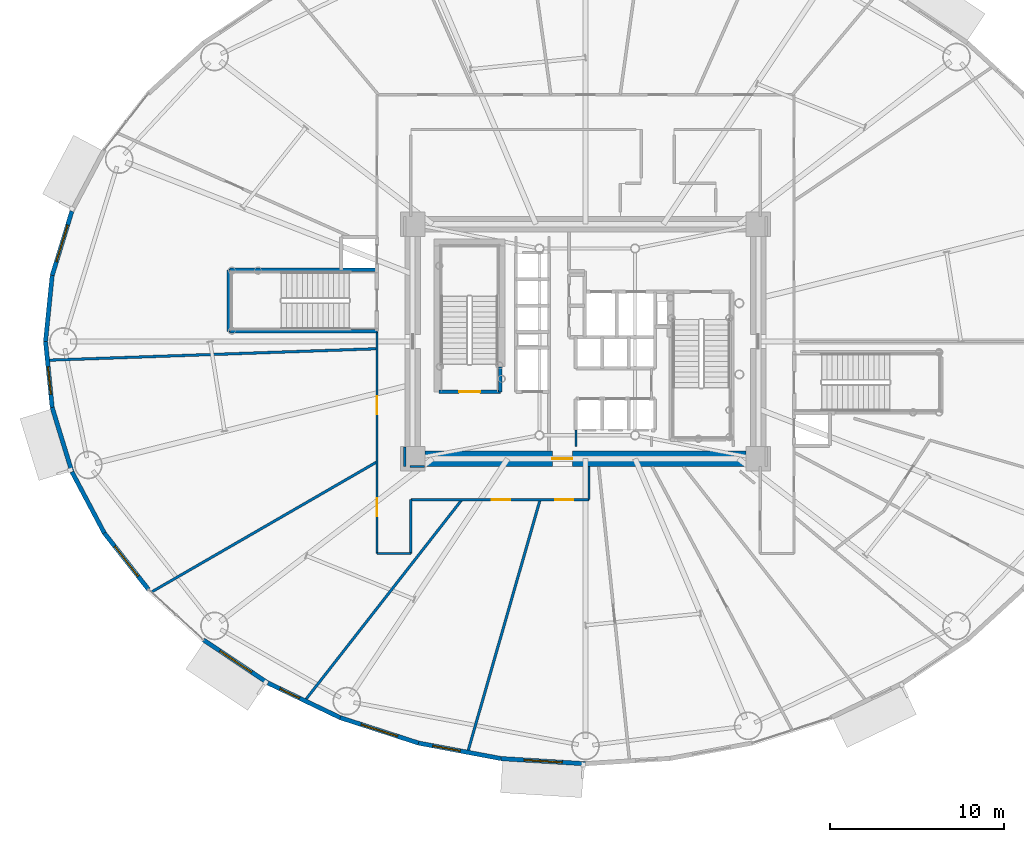
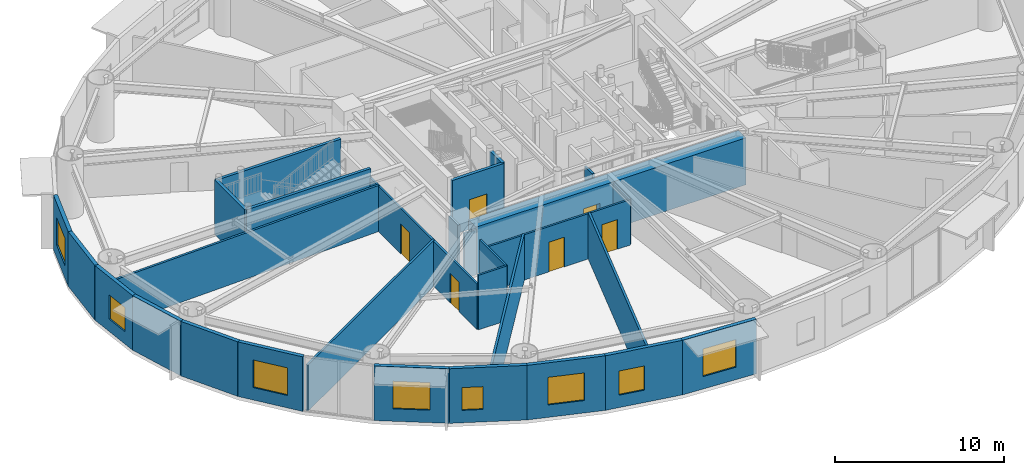
# One storey, part 16 of 32: 29 walls, 8 windows, 6 doors, 14 openings.
"""IFC4 building model written with IfcOpenShell, lengths in metres."""

from ifc_helpers import new_model, si_unit, direction, frame, frame_2d, origin, origin_2d, place, context, subcontext, project, spatial, rectangle, extrude, source, transform, mapped, material, layer, layer_set, type_object, element, fill, save


model = new_model("IFC4")

# Units and contexts
model_context = context("Model", 3, precision=1e-05, world=origin(), true_north=direction((0.0, 1.0)))
body_context = subcontext(model_context, "Body", "Model", "MODEL_VIEW")
ifc_project = project(units=[si_unit("LENGTHUNIT", "METRE"), si_unit("AREAUNIT", "SQUARE_METRE"), si_unit("VOLUMEUNIT", "CUBIC_METRE"), si_unit("PLANEANGLEUNIT", "RADIAN"), si_unit("MASSUNIT", "GRAM", prefix="KILO")], contexts=[model_context])

# Site, building, storey
site_placement = place(None, origin())
site = spatial("IfcSite", under=ifc_project, at=site_placement, CompositionType="ELEMENT")
building_placement = place(site_placement, origin())
building = spatial("IfcBuilding", under=site, at=building_placement, Name="Linh Dai School and Residence Tower", CompositionType="ELEMENT")
storey_placement = place(building_placement, frame((0.0, 0.0, 53.39990234375)))
storey = spatial("IfcBuildingStorey", under=building, at=storey_placement, Name="L12", CompositionType="ELEMENT", Elevation=53.39990234375)

# Wall, opening, window
ifc_material_1 = material(Name="Precast Concrete B45 (C35/45)", Category="concrete")
ifc_layer_1 = layer(ifc_material_1, 0.25)
ifc_layer_set_1 = layer_set([ifc_layer_1], Name="Precast Concrete B45 (C35/45)")
wall_type_1 = type_object("IfcWallType", Name="EW-TC-250", PredefinedType="SOLIDWALL", material=ifc_layer_set_1)
wall_1_placement = place(storey_placement, frame((5.306640625, 30.796875, 0.0), z_axis=(0.0, 0.0, 1.0), x_axis=(0.293111631758, 0.956078224482, 0.0)))
wall_1 = element("IfcWall", 1, at=wall_1_placement, inside=storey, type_object=wall_type_1, Name="L12 Terracotta Exterior Wall 19", PredefinedType="SOLIDWALL", context=body_context, shape_type="SweptSolid", body=[
    extrude(rectangle(XDim=3.874755859375, YDim=0.25, at=frame_2d((1.9375, 0.0))), origin(), (0.0, 0.0, 1.0), 3.9501953125),
])
opening_1_placement = place(wall_1_placement, frame((0.83740234375, 0.0, 0.89990234375)))
opening_1 = element("IfcOpeningElement", 2, at=opening_1_placement, cuts=wall_1, Name="Opening W4", PredefinedType="OPENING", context=body_context, shape_type="SweptSolid", body=[
    extrude(rectangle(XDim=2.199951171875, YDim=2.0, at=origin_2d()), frame((1.10009765625, 0.135009765625, 1.0), z_axis=(0.0, -1.0, 0.0), x_axis=(1.0, 0.0, 0.0)), (0.0, 0.0, 1.0), 0.27001953125),
])
ifc_material_2 = material(Name="Acoustic Laminated Low-E Glazing", Category="glass")
window_type_1 = type_object("IfcWindowType", Name="WN-SCH-2200x2000", PartitioningType="TRIPLE_PANEL_VERTICAL", PredefinedType="WINDOW", material=ifc_material_2)
shared_shape_1 = source(origin(), body_context, "Body", "SweptSolid", [
    extrude(rectangle(XDim=2.199951171875, YDim=2.0, at=origin_2d()), frame((1.10009765625, 0.030029296875, 1.0), z_axis=(0.0, -1.0, 0.0), x_axis=(1.0, 0.0, 0.0)), (0.0, 0.0, 1.0), 0.06005859375),
])
window_1_placement = place(opening_1_placement, origin())
window_1 = element("IfcWindow", 3, at=window_1_placement, inside=storey, type_object=window_type_1, Name="L12 Exterior Window 19.1", OverallHeight=2.0, OverallWidth=2.199951171875, PartitioningType="TRIPLE_PANEL_VERTICAL", PredefinedType="WINDOW", context=body_context, shape_type="MappedRepresentation", body=[
    mapped(shared_shape_1, transform((0.0, 0.0, 0.0), x_axis=(1.0, 0.0, 0.0), y_axis=(0.0, 1.0, 0.0), z_axis=(0.0, 0.0, 1.0), scale=1.0)),
])
fill(opening_1, window_1)

# Wall
wall_2_placement = place(storey_placement, frame((4.925048828125, 27.0, 0.0), z_axis=(0.0, 0.0, 1.0), x_axis=(0.099997795174, 0.994987658698, 0.0)))
element("IfcWall", 4, at=wall_2_placement, inside=storey, type_object=wall_type_1, Name="L12 Terracotta Exterior Wall 20", PredefinedType="SOLIDWALL", context=body_context, shape_type="SweptSolid", body=[
    extrude(rectangle(XDim=3.81591796875, YDim=0.25, at=frame_2d((1.907958984375, 0.0))), origin(), (0.0, 0.0, 1.0), 3.9501953125),
])

# Wall, opening, window
wall_3_placement = place(storey_placement, frame((5.306640625, 23.203125, 0.0), z_axis=(0.0, 0.0, 1.0), x_axis=(-0.099997795174, 0.994987658698, 0.0)))
wall_3 = element("IfcWall", 5, at=wall_3_placement, inside=storey, type_object=wall_type_1, Name="L12 Terracotta Exterior Wall 21", PredefinedType="SOLIDWALL", context=body_context, shape_type="SweptSolid", body=[
    extrude(rectangle(XDim=3.81591796875, YDim=0.25, at=frame_2d((1.907958984375, 0.0))), origin(), (0.0, 0.0, 1.0), 3.9501953125),
])
opening_2_placement = place(wall_3_placement, frame((0.7568359375, 0.0, 0.89990234375)))
opening_2 = element("IfcOpeningElement", 6, at=opening_2_placement, cuts=wall_3, Name="Opening W2", PredefinedType="OPENING", context=body_context, shape_type="SweptSolid", body=[
    extrude(rectangle(XDim=1.60009765625, YDim=1.75, at=origin_2d()), frame((0.800048828125, 0.135009765625, 0.875), z_axis=(0.0, -1.0, 0.0), x_axis=(1.0, 0.0, 0.0)), (0.0, 0.0, 1.0), 0.27001953125),
])
ifc_material_3 = material(Name="Double Low-E Insulated Glazing", Category="glass")
window_type_2 = type_object("IfcWindowType", Name="WN-RES-1600x1750", PartitioningType="DOUBLE_PANEL_VERTICAL", PredefinedType="WINDOW", material=ifc_material_3)
shared_shape_2 = source(origin(), body_context, "Body", "SweptSolid", [
    extrude(rectangle(XDim=1.60009765625, YDim=1.75, at=origin_2d()), frame((0.800048828125, 0.030029296875, 0.875), z_axis=(0.0, -1.0, 0.0), x_axis=(1.0, 0.0, 0.0)), (0.0, 0.0, 1.0), 0.06005859375),
])
window_2_placement = place(opening_2_placement, origin())
window_2 = element("IfcWindow", 7, at=window_2_placement, inside=storey, type_object=window_type_2, Name="L12 Exterior Window 21.1", OverallHeight=1.75, OverallWidth=1.60009765625, PartitioningType="DOUBLE_PANEL_VERTICAL", PredefinedType="WINDOW", context=body_context, shape_type="MappedRepresentation", body=[
    mapped(shared_shape_2, transform((0.0, 0.0, 0.0), x_axis=(1.0, 0.0, 0.0), y_axis=(0.0, 1.0, 0.0), z_axis=(0.0, 0.0, 1.0), scale=1.0)),
])
fill(opening_2, window_2)

# Walls
wall_4_placement = place(storey_placement, frame((6.4423828125, 19.49853515625, 0.0), z_axis=(0.0, 0.0, 1.0), x_axis=(-0.293111631758, 0.956078224482, 0.0)))
element("IfcWall", 8, at=wall_4_placement, inside=storey, type_object=wall_type_1, Name="L12 Terracotta Exterior Wall 22", PredefinedType="SOLIDWALL", context=body_context, shape_type="SweptSolid", body=[
    extrude(rectangle(XDim=3.874755859375, YDim=0.25, at=frame_2d((1.9375, 0.0))), origin(), (0.0, 0.0, 1.0), 3.9501953125),
])
wall_5_placement = place(storey_placement, frame((8.305419921875, 15.977294921875, 0.0), z_axis=(0.0, 0.0, 1.0), x_axis=(-0.467662443071, 0.883907144072, 0.0)))
element("IfcWall", 9, at=wall_5_placement, inside=storey, type_object=wall_type_1, Name="L12 Terracotta Exterior Wall 23", PredefinedType="SOLIDWALL", context=body_context, shape_type="SweptSolid", body=[
    extrude(rectangle(XDim=3.983642578125, YDim=0.25, at=frame_2d((1.99169921875, 0.0))), origin(), (0.0, 0.0, 1.0), 3.9501953125),
])

# Wall, opening, window
wall_6_placement = place(storey_placement, frame((10.850341796875, 12.725341796875, 0.0), z_axis=(0.0, 0.0, 1.0), x_axis=(-0.616295508253, 0.787514981767, 0.0)))
wall_6 = element("IfcWall", 10, at=wall_6_placement, inside=storey, type_object=wall_type_1, Name="L12 Terracotta Exterior Wall 24", PredefinedType="SOLIDWALL", context=body_context, shape_type="SweptSolid", body=[
    extrude(rectangle(XDim=4.12939453125, YDim=0.25, at=frame_2d((2.064697265625, 0.0))), origin(), (0.0, 0.0, 1.0), 3.9501953125),
])
opening_3_placement = place(wall_6_placement, frame((0.964599609375, 0.0, 0.89990234375)))
opening_3 = element("IfcOpeningElement", 11, at=opening_3_placement, cuts=wall_6, Name="Opening W4", PredefinedType="OPENING", context=body_context, shape_type="SweptSolid", body=[
    extrude(rectangle(XDim=2.199951171875, YDim=2.0, at=origin_2d()), frame((1.10009765625, 0.135009765625, 1.0), z_axis=(0.0, -1.0, 0.0), x_axis=(1.0, 0.0, 0.0)), (0.0, 0.0, 1.0), 0.27001953125),
])
window_3_placement = place(opening_3_placement, origin())
window_3 = element("IfcWindow", 12, at=window_3_placement, inside=storey, type_object=window_type_1, Name="L12 Exterior Window 24.1", OverallHeight=2.0, OverallWidth=2.199951171875, PartitioningType="TRIPLE_PANEL_VERTICAL", PredefinedType="WINDOW", context=body_context, shape_type="MappedRepresentation", body=[
    mapped(shared_shape_1, transform((0.0, 0.0, 0.0), x_axis=(1.0, 0.0, 0.0), y_axis=(0.0, 1.0, 0.0), z_axis=(0.0, 0.0, 1.0), scale=1.0)),
])
fill(opening_3, window_3)

wall_7_placement = place(storey_placement, frame((17.722900390625, 7.34423828125, 0.0), z_axis=(0.0, 0.0, 1.0), x_axis=(-0.831240982525, 0.555912249343, 0.0)))
wall_7 = element("IfcWall", 13, at=wall_7_placement, inside=storey, type_object=wall_type_1, Name="L12 Terracotta Exterior Wall 26", PredefinedType="SOLIDWALL", context=body_context, shape_type="SweptSolid", body=[
    extrude(rectangle(XDim=4.460205078125, YDim=0.25, at=frame_2d((2.22998046875, 0.0))), origin(), (0.0, 0.0, 1.0), 3.9501953125),
])
opening_4_placement = place(wall_7_placement, frame((1.1298828125, 0.0, 0.89990234375)))
opening_4 = element("IfcOpeningElement", 14, at=opening_4_placement, cuts=wall_7, Name="Opening W4", PredefinedType="OPENING", context=body_context, shape_type="SweptSolid", body=[
    extrude(rectangle(XDim=2.199951171875, YDim=2.0, at=origin_2d()), frame((1.10009765625, 0.135009765625, 1.0), z_axis=(0.0, -1.0, 0.0), x_axis=(1.0, 0.0, 0.0)), (0.0, 0.0, 1.0), 0.27001953125),
])
window_4_placement = place(opening_4_placement, origin())
window_4 = element("IfcWindow", 15, at=window_4_placement, inside=storey, type_object=window_type_1, Name="L12 Exterior Window 26.1", OverallHeight=2.0, OverallWidth=2.199951171875, PartitioningType="TRIPLE_PANEL_VERTICAL", PredefinedType="WINDOW", context=body_context, shape_type="MappedRepresentation", body=[
    mapped(shared_shape_1, transform((0.0, 0.0, 0.0), x_axis=(1.0, 0.0, 0.0), y_axis=(0.0, 1.0, 0.0), z_axis=(0.0, 0.0, 1.0), scale=1.0)),
])
fill(opening_4, window_4)

wall_8_placement = place(storey_placement, frame((21.8818359375, 5.348876953125, 0.0), z_axis=(0.0, 0.0, 1.0), x_axis=(-0.901601503137, 0.432567601123, 0.0)))
wall_8 = element("IfcWall", 16, at=wall_8_placement, inside=storey, type_object=wall_type_1, Name="L12 Terracotta Exterior Wall 27", PredefinedType="SOLIDWALL", context=body_context, shape_type="SweptSolid", body=[
    extrude(rectangle(XDim=4.61279296875, YDim=0.25, at=frame_2d((2.306396484375, 0.0))), origin(), (0.0, 0.0, 1.0), 3.9501953125),
])
opening_5_placement = place(wall_8_placement, frame((2.601806640625, 0.0, 0.89990234375)))
opening_5 = element("IfcOpeningElement", 17, at=opening_5_placement, cuts=wall_8, Name="Opening W3", PredefinedType="OPENING", context=body_context, shape_type="SweptSolid", body=[
    extrude(rectangle(XDim=1.25, YDim=1.64990234375, at=origin_2d()), frame((0.625, 0.135009765625, 0.824951171875), z_axis=(0.0, -1.0, 0.0), x_axis=(1.0, 0.0, 0.0)), (0.0, 0.0, 1.0), 0.27001953125),
])
window_type_3 = type_object("IfcWindowType", Name="WN-RES-1250x1650", PartitioningType="SINGLE_PANEL", PredefinedType="WINDOW", material=ifc_material_3)
shared_shape_3 = source(origin(), body_context, "Body", "SweptSolid", [
    extrude(rectangle(XDim=1.25, YDim=1.64990234375, at=origin_2d()), frame((0.625, 0.030029296875, 0.824951171875), z_axis=(0.0, -1.0, 0.0), x_axis=(1.0, 0.0, 0.0)), (0.0, 0.0, 1.0), 0.06005859375),
])
window_5_placement = place(opening_5_placement, origin())
window_5 = element("IfcWindow", 18, at=window_5_placement, inside=storey, type_object=window_type_3, Name="L12 Exterior Window 27.1", OverallHeight=1.64990234375, OverallWidth=1.25, PartitioningType="SINGLE_PANEL", PredefinedType="WINDOW", context=body_context, shape_type="MappedRepresentation", body=[
    mapped(shared_shape_3, transform((0.0, 0.0, 0.0), x_axis=(1.0, 0.0, 0.0), y_axis=(0.0, 1.0, 0.0), z_axis=(0.0, 0.0, 1.0), scale=1.0)),
])
fill(opening_5, window_5)

wall_9_placement = place(storey_placement, frame((26.389404296875, 3.88671875, 0.0), z_axis=(0.0, 0.0, 1.0), x_axis=(-0.951207699013, 0.308551313946, 0.0)))
wall_9 = element("IfcWall", 19, at=wall_9_placement, inside=storey, type_object=wall_type_1, Name="L12 Terracotta Exterior Wall 28", PredefinedType="SOLIDWALL", context=body_context, shape_type="SweptSolid", body=[
    extrude(rectangle(XDim=4.73876953125, YDim=0.25, at=frame_2d((2.369384765625, 0.0))), origin(), (0.0, 0.0, 1.0), 3.9501953125),
])
opening_6_placement = place(wall_9_placement, frame((1.269287109375, 0.0, 0.89990234375)))
opening_6 = element("IfcOpeningElement", 20, at=opening_6_placement, cuts=wall_9, Name="Opening W4", PredefinedType="OPENING", context=body_context, shape_type="SweptSolid", body=[
    extrude(rectangle(XDim=2.199951171875, YDim=2.0, at=origin_2d()), frame((1.10009765625, 0.135009765625, 1.0), z_axis=(0.0, -1.0, 0.0), x_axis=(1.0, 0.0, 0.0)), (0.0, 0.0, 1.0), 0.27001953125),
])
window_6_placement = place(opening_6_placement, origin())
window_6 = element("IfcWindow", 21, at=window_6_placement, inside=storey, type_object=window_type_1, Name="L12 Exterior Window 28.1", OverallHeight=2.0, OverallWidth=2.199951171875, PartitioningType="TRIPLE_PANEL_VERTICAL", PredefinedType="WINDOW", context=body_context, shape_type="MappedRepresentation", body=[
    mapped(shared_shape_1, transform((0.0, 0.0, 0.0), x_axis=(1.0, 0.0, 0.0), y_axis=(0.0, 1.0, 0.0), z_axis=(0.0, 0.0, 1.0), scale=1.0)),
])
fill(opening_6, window_6)

wall_10_placement = place(storey_placement, frame((31.134521484375, 2.994873046875, 0.0), z_axis=(0.0, 0.0, 1.0), x_axis=(-0.982791952378, 0.184715939598, 0.0)))
wall_10 = element("IfcWall", 22, at=wall_10_placement, inside=storey, type_object=wall_type_1, Name="L12 Terracotta Exterior Wall 29", PredefinedType="SOLIDWALL", context=body_context, shape_type="SweptSolid", body=[
    extrude(rectangle(XDim=4.828125, YDim=0.25, at=frame_2d((2.4140625, 0.0))), origin(), (0.0, 0.0, 1.0), 3.9501953125),
])
opening_7_placement = place(wall_10_placement, frame((2.388427734375, 0.0, 0.89990234375)))
opening_7 = element("IfcOpeningElement", 23, at=opening_7_placement, cuts=wall_10, Name="Opening W2", PredefinedType="OPENING", context=body_context, shape_type="SweptSolid", body=[
    extrude(rectangle(XDim=1.60009765625, YDim=1.75, at=origin_2d()), frame((0.800048828125, 0.135009765625, 0.875), z_axis=(0.0, -1.0, 0.0), x_axis=(1.0, 0.0, 0.0)), (0.0, 0.0, 1.0), 0.27001953125),
])
window_7_placement = place(opening_7_placement, origin())
window_7 = element("IfcWindow", 24, at=window_7_placement, inside=storey, type_object=window_type_2, Name="L12 Exterior Window 29.1", OverallHeight=1.75, OverallWidth=1.60009765625, PartitioningType="DOUBLE_PANEL_VERTICAL", PredefinedType="WINDOW", context=body_context, shape_type="MappedRepresentation", body=[
    mapped(shared_shape_2, transform((0.0, 0.0, 0.0), x_axis=(1.0, 0.0, 0.0), y_axis=(0.0, 1.0, 0.0), z_axis=(0.0, 0.0, 1.0), scale=1.0)),
])
fill(opening_7, window_7)

wall_11_placement = place(storey_placement, frame((36.0, 2.695068359375, 0.0), z_axis=(0.0, 0.0, 1.0), x_axis=(-0.998106954071, 0.061502099433, 0.0)))
wall_11 = element("IfcWall", 25, at=wall_11_placement, inside=storey, type_object=wall_type_1, Name="L12 Terracotta Exterior Wall 30", PredefinedType="SOLIDWALL", context=body_context, shape_type="SweptSolid", body=[
    extrude(rectangle(XDim=4.874755859375, YDim=0.25, at=frame_2d((2.4375, 0.0))), origin(), (0.0, 0.0, 1.0), 3.9501953125),
])
opening_8_placement = place(wall_11_placement, frame((1.33740234375, 0.0, 0.89990234375)))
opening_8 = element("IfcOpeningElement", 26, at=opening_8_placement, cuts=wall_11, Name="Opening W4", PredefinedType="OPENING", context=body_context, shape_type="SweptSolid", body=[
    extrude(rectangle(XDim=2.199951171875, YDim=2.0, at=origin_2d()), frame((1.10009765625, 0.135009765625, 1.0), z_axis=(0.0, -1.0, 0.0), x_axis=(1.0, 0.0, 0.0)), (0.0, 0.0, 1.0), 0.27001953125),
])
window_8_placement = place(opening_8_placement, origin())
window_8 = element("IfcWindow", 27, at=window_8_placement, inside=storey, type_object=window_type_1, Name="L12 Exterior Window 30.1", OverallHeight=2.0, OverallWidth=2.199951171875, PartitioningType="TRIPLE_PANEL_VERTICAL", PredefinedType="WINDOW", context=body_context, shape_type="MappedRepresentation", body=[
    mapped(shared_shape_1, transform((0.0, 0.0, 0.0), x_axis=(1.0, 0.0, 0.0), y_axis=(0.0, 1.0, 0.0), z_axis=(0.0, 0.0, 1.0), scale=1.0)),
])
fill(opening_8, window_8)

# Wall, openings, doors
ifc_material_4 = material(Name="Autoclaved Aerated Concrete Blockwork", Category="masonry")
ifc_layer_2 = layer(ifc_material_4, 0.135009765625)
ifc_layer_set_2 = layer_set([ifc_layer_2], Name="Autoclaved Aerated Concrete Blockwork")
wall_type_2 = type_object("IfcWallType", Name="IW-CORR-135-EI90", PredefinedType="PARTITIONING", material=ifc_layer_set_2)
wall_12_placement = place(storey_placement, frame((24.0, 14.800048828125, 0.0), z_axis=(0.0, 0.0, 1.0), x_axis=(0.0, 1.0, 0.0)))
wall_12 = element("IfcWall", 28, at=wall_12_placement, inside=storey, type_object=wall_type_2, Name="L12 Interior Partition Wall 011", PredefinedType="PARTITIONING", context=body_context, shape_type="SweptSolid", body=[
    extrude(rectangle(XDim=12.780029296875, YDim=0.135009765625, at=frame_2d((6.39013671875, 0.0))), origin(), (0.0, 0.0, 1.0), 3.28515625),
])
opening_9_placement = place(wall_12_placement, frame((8.00146484375, 0.0, 0.0)))
opening_9 = element("IfcOpeningElement", 29, at=opening_9_placement, cuts=wall_12, Name="Opening D04", PredefinedType="OPENING", context=body_context, shape_type="SweptSolid", body=[
    extrude(rectangle(XDim=1.050048828125, YDim=2.14990234375, at=origin_2d()), frame((0.52490234375, 0.07763671875, 1.074951171875), z_axis=(0.0, -1.0, 0.0), x_axis=(1.0, 0.0, 0.0)), (0.0, 0.0, 1.0), 0.155029296875),
])
opening_10_placement = place(wall_12_placement, frame((2.130859375, 0.0, 0.0)))
opening_10 = element("IfcOpeningElement", 30, at=opening_10_placement, cuts=wall_12, Name="Opening D04", PredefinedType="OPENING", context=body_context, shape_type="SweptSolid", body=[
    extrude(rectangle(XDim=1.050048828125, YDim=2.14990234375, at=origin_2d()), frame((0.52490234375, 0.07763671875, 1.074951171875), z_axis=(0.0, -1.0, 0.0), x_axis=(1.0, 0.0, 0.0)), (0.0, 0.0, 1.0), 0.155029296875),
])
ifc_material_5 = material(Name="Acoustic Vision-Panel Timber Classroom Door", Category="wood")
door_type_1 = type_object("IfcDoorType", Name="DR-SCH-1050x2150-FD60S", OperationType="NOTDEFINED", PredefinedType="DOOR", material=ifc_material_5)
shared_shape_4 = source(origin(), body_context, "Body", "SweptSolid", [
    extrude(rectangle(XDim=1.050048828125, YDim=2.14990234375, at=origin_2d()), frame((0.52490234375, 0.02490234375, 1.074951171875), z_axis=(0.0, -1.0, 0.0), x_axis=(1.0, 0.0, 0.0)), (0.0, 0.0, 1.0), 0.050048828125),
])
door_1_placement = place(opening_9_placement, origin())
door_1 = element("IfcDoor", 31, at=door_1_placement, inside=storey, type_object=door_type_1, Name="L12 Advanced Biochemistry Lab Door", OperationType="SINGLE_SWING_RIGHT", OverallHeight=2.14990234375, OverallWidth=1.050048828125, PredefinedType="DOOR", context=body_context, shape_type="MappedRepresentation", body=[
    mapped(shared_shape_4, transform((0.0, 0.0, 0.0), x_axis=(1.0, 0.0, 0.0), y_axis=(0.0, 1.0, 0.0), z_axis=(0.0, 0.0, 1.0), scale=1.0)),
])
fill(opening_9, door_1)
door_2_placement = place(opening_10_placement, origin())
door_2 = element("IfcDoor", 32, at=door_2_placement, inside=storey, type_object=door_type_1, Name="L12 Upper Sixth Classroom 1 Door", OperationType="SINGLE_SWING_LEFT", OverallHeight=2.14990234375, OverallWidth=1.050048828125, PredefinedType="DOOR", context=body_context, shape_type="MappedRepresentation", body=[
    mapped(shared_shape_4, transform((0.0, 0.0, 0.0), x_axis=(1.0, 0.0, 0.0), y_axis=(0.0, 1.0, 0.0), z_axis=(0.0, 0.0, 1.0), scale=1.0)),
])
fill(opening_10, door_2)

# Walls
wall_13_placement = place(storey_placement, frame((24.0, 14.800048828125, 0.0), z_axis=(0.0, 0.0, 1.0), x_axis=(1.0, 0.0, 0.0)))
element("IfcWall", 33, at=wall_13_placement, inside=storey, type_object=wall_type_2, Name="L12 Interior Partition Wall 012", PredefinedType="PARTITIONING", context=body_context, shape_type="SweptSolid", body=[
    extrude(rectangle(XDim=1.949951171875, YDim=0.135009765625, at=frame_2d((0.97509765625, 0.0))), origin(), (0.0, 0.0, 1.0), 3.9501953125),
])
wall_14_placement = place(storey_placement, frame((25.949951171875, 14.800048828125, 0.0), z_axis=(0.0, 0.0, 1.0), x_axis=(0.0, 1.0, 0.0)))
element("IfcWall", 34, at=wall_14_placement, inside=storey, type_object=wall_type_2, Name="L12 Interior Partition Wall 017", PredefinedType="PARTITIONING", context=body_context, shape_type="SweptSolid", body=[
    extrude(rectangle(XDim=3.099853515625, YDim=0.135009765625, at=frame_2d((1.5498046875, 0.0))), origin(), (0.0, 0.0, 1.0), 3.9501953125),
])

# Wall, openings, doors
wall_15_placement = place(storey_placement, frame((25.949951171875, 17.89990234375, 0.0), z_axis=(0.0, 0.0, 1.0), x_axis=(1.0, 0.0, 0.0)))
wall_15 = element("IfcWall", 35, at=wall_15_placement, inside=storey, type_object=wall_type_2, Name="L12 Interior Partition Wall 018", PredefinedType="PARTITIONING", context=body_context, shape_type="SweptSolid", body=[
    extrude(rectangle(XDim=10.25, YDim=0.135009765625, at=frame_2d((5.125, 0.0))), origin(), (0.0, 0.0, 1.0), 3.28515625),
])
opening_11_placement = place(wall_15_placement, frame((4.66552734375, 0.0, 0.0)))
opening_11 = element("IfcOpeningElement", 36, at=opening_11_placement, cuts=wall_15, Name="Opening D04", PredefinedType="OPENING", context=body_context, shape_type="SweptSolid", body=[
    extrude(rectangle(XDim=1.050048828125, YDim=2.14990234375, at=origin_2d()), frame((0.52490234375, 0.07763671875, 1.074951171875), z_axis=(0.0, -1.0, 0.0), x_axis=(1.0, 0.0, 0.0)), (0.0, 0.0, 1.0), 0.155029296875),
])
opening_12_placement = place(wall_15_placement, frame((8.30029296875, 0.0, 0.0)))
opening_12 = element("IfcOpeningElement", 37, at=opening_12_placement, cuts=wall_15, Name="Opening D04", PredefinedType="OPENING", context=body_context, shape_type="SweptSolid", body=[
    extrude(rectangle(XDim=1.050048828125, YDim=2.14990234375, at=origin_2d()), frame((0.52490234375, 0.07763671875, 1.074951171875), z_axis=(0.0, -1.0, 0.0), x_axis=(1.0, 0.0, 0.0)), (0.0, 0.0, 1.0), 0.155029296875),
])
door_3_placement = place(opening_11_placement, origin())
door_3 = element("IfcDoor", 38, at=door_3_placement, inside=storey, type_object=door_type_1, Name="L12 Upper Sixth Classroom 2 Door", OperationType="SINGLE_SWING_RIGHT", OverallHeight=2.14990234375, OverallWidth=1.050048828125, PredefinedType="DOOR", context=body_context, shape_type="MappedRepresentation", body=[
    mapped(shared_shape_4, transform((0.0, 0.0, 0.0), x_axis=(1.0, 0.0, 0.0), y_axis=(0.0, 1.0, 0.0), z_axis=(0.0, 0.0, 1.0), scale=1.0)),
])
fill(opening_11, door_3)
door_4_placement = place(opening_12_placement, origin())
door_4 = element("IfcDoor", 39, at=door_4_placement, inside=storey, type_object=door_type_1, Name="L12 Upper Sixth Classroom 3 Door", OperationType="SINGLE_SWING_LEFT", OverallHeight=2.14990234375, OverallWidth=1.050048828125, PredefinedType="DOOR", context=body_context, shape_type="MappedRepresentation", body=[
    mapped(shared_shape_4, transform((0.0, 0.0, 0.0), x_axis=(1.0, 0.0, 0.0), y_axis=(0.0, 1.0, 0.0), z_axis=(0.0, 0.0, 1.0), scale=1.0)),
])
fill(opening_12, door_4)

# Walls
wall_16_placement = place(storey_placement, frame((36.199951171875, 17.89990234375, 0.0), z_axis=(0.0, 0.0, 1.0), x_axis=(0.0, 1.0, 0.0)))
element("IfcWall", 40, at=wall_16_placement, inside=storey, type_object=wall_type_2, Name="L12 Interior Partition Wall 042", PredefinedType="PARTITIONING", context=body_context, shape_type="SweptSolid", body=[
    extrude(rectangle(XDim=1.900146484375, YDim=0.135009765625, at=frame_2d((0.9501953125, 0.0))), origin(), (0.0, 0.0, 1.0), 3.28515625),
])
wall_17_placement = place(storey_placement, frame((35.449951171875, 21.889892578125, 0.0), z_axis=(0.0, 0.0, 1.0), x_axis=(0.0, -1.0, 0.0)))
element("IfcWall", 41, at=wall_17_placement, inside=storey, type_object=wall_type_2, Name="L12 Interior Partition Wall 083", PredefinedType="PARTITIONING", context=body_context, shape_type="SweptSolid", body=[
    extrude(rectangle(XDim=0.929931640625, YDim=0.135009765625, at=frame_2d((0.46484375, 0.0))), origin(), (0.0, 0.0, 1.0), 3.53515625),
])
wall_18_placement = place(storey_placement, frame((25.60009765625, 20.93994140625, 0.0), z_axis=(0.0, 0.0, 1.0), x_axis=(0.0, -1.0, 0.0)))
element("IfcWall", 42, at=wall_18_placement, inside=storey, type_object=wall_type_2, Name="L12 Interior Partition Wall 103", PredefinedType="PARTITIONING", context=body_context, shape_type="SweptSolid", body=[
    extrude(rectangle(XDim=1.139892578125, YDim=0.135009765625, at=frame_2d((0.56982421875, 0.0))), origin(), (0.0, 0.0, 1.0), 3.9501953125),
])
wall_19_placement = place(storey_placement, frame((25.907470703125, 19.800048828125, 0.0), z_axis=(0.0, 0.0, 1.0), x_axis=(1.0, 0.0, 0.0)))
element("IfcWall", 43, at=wall_19_placement, inside=storey, type_object=wall_type_2, Name="L12 Interior Partition Wall 104", PredefinedType="PARTITIONING", context=body_context, shape_type="SweptSolid", body=[
    extrude(rectangle(XDim=0.83251953125, YDim=0.135009765625, at=frame_2d((0.416259765625, 0.0))), origin(), (0.0, 0.0, 1.0), 3.28515625),
])
ifc_layer_3 = layer(ifc_material_4, 0.14990234375)
ifc_layer_set_3 = layer_set([ifc_layer_3], Name="Autoclaved Aerated Concrete Blockwork")
wall_type_3 = type_object("IfcWallType", Name="IW-SCH-150-EI60", PredefinedType="PARTITIONING", material=ifc_layer_set_3)
wall_20_placement = place(storey_placement, frame((5.02880859375, 25.91845703125, 0.0), z_axis=(0.0, 0.0, 1.0), x_axis=(0.99939062663, 0.034905234611, 0.0)))
element("IfcWall", 44, at=wall_20_placement, inside=storey, type_object=wall_type_3, Name="L12 Interior Partition Wall 001", PredefinedType="PARTITIONING", context=body_context, shape_type="SweptSolid", body=[
    extrude(rectangle(XDim=18.982666015625, YDim=0.14990234375, at=frame_2d((9.4912109375, 0.0))), origin(), (0.0, 0.0, 1.0), 3.335205078125),
])
wall_21_placement = place(storey_placement, frame((11.01025390625, 12.572021484375, 0.0), z_axis=(0.0, 0.0, 1.0), x_axis=(0.86602186862, 0.500006123034, 0.0)))
element("IfcWall", 45, at=wall_21_placement, inside=storey, type_object=wall_type_3, Name="L12 Interior Partition Wall 003", PredefinedType="PARTITIONING", context=body_context, shape_type="SweptSolid", body=[
    extrude(rectangle(XDim=14.999267578125, YDim=0.14990234375, at=frame_2d((7.49951171875, 0.0))), origin(), (0.0, 0.0, 1.0), 3.335205078125),
])
wall_22_placement = place(storey_placement, frame((19.843994140625, 6.321044921875, 0.0), z_axis=(0.0, 0.0, 1.0), x_axis=(0.615661130638, 0.788011022906, 0.0)))
element("IfcWall", 46, at=wall_22_placement, inside=storey, type_object=wall_type_3, Name="L12 Interior Partition Wall 008", PredefinedType="PARTITIONING", context=body_context, shape_type="SweptSolid", body=[
    extrude(rectangle(XDim=14.69384765625, YDim=0.14990234375, at=frame_2d((7.346923828125, 0.0))), origin(), (0.0, 0.0, 1.0), 3.335205078125),
])
wall_23_placement = place(storey_placement, frame((29.218505859375, 3.349853515625, 0.0), z_axis=(0.0, 0.0, 1.0), x_axis=(0.275634900318, 0.961262400038, 0.0)))
element("IfcWall", 47, at=wall_23_placement, inside=storey, type_object=wall_type_3, Name="L12 Interior Partition Wall 020", PredefinedType="PARTITIONING", context=body_context, shape_type="SweptSolid", body=[
    extrude(rectangle(XDim=15.136474609375, YDim=0.14990234375, at=frame_2d((7.568359375, 0.0))), origin(), (0.0, 0.0, 1.0), 3.335205078125),
])
ifc_material_6 = material(Name="Concrete B45 (C35/45)", Category="concrete")
ifc_layer_4 = layer(ifc_material_6, 0.199951171875)
ifc_layer_set_4 = layer_set([ifc_layer_4], Name="Concrete B45 (C35/45)")
wall_type_4 = type_object("IfcWallType", Name="IW-SHAFT-200-EI120", PredefinedType="PARTITIONING", material=ifc_layer_set_4)
wall_24_placement = place(storey_placement, frame((15.47998046875, 27.580078125, 0.0), z_axis=(0.0, 0.0, 1.0), x_axis=(0.0, 1.0, 0.0)))
element("IfcWall", 48, at=wall_24_placement, inside=storey, type_object=wall_type_4, Name="L12 Interior Partition Wall 004", PredefinedType="PARTITIONING", context=body_context, shape_type="SweptSolid", body=[
    extrude(rectangle(XDim=3.5400390625, YDim=0.199951171875, at=frame_2d((1.77001953125, 0.0))), origin(), (0.0, 0.0, 1.0), 3.9501953125),
])
for number, where, z_axis, x_axis, name in (
    (49, (15.47998046875, 27.580078125, 0.0), (0.0, 0.0, 1.0), (1.0, 0.0, 0.0), "L12 Interior Partition Wall 005"),
    (50, (15.47998046875, 31.1201171875, 0.0), (0.0, 0.0, 1.0), (1.0, 0.0, 0.0), "L12 Interior Partition Wall 006"),
):
    element("IfcWall", number, at=place(storey_placement, frame(where, z_axis=z_axis, x_axis=x_axis)), inside=storey, type_object=wall_type_4, Name=name, PredefinedType="PARTITIONING", context=body_context, shape_type="SweptSolid", body=[
        extrude(rectangle(XDim=8.52001953125, YDim=0.199951171875, at=frame_2d((4.260009765625, 0.0))), origin(), (0.0, 0.0, 1.0), 3.9501953125),
    ])

# Wall, opening, door
wall_25_placement = place(storey_placement, frame((27.56005859375, 24.10009765625, 0.0), z_axis=(0.0, 0.0, 1.0), x_axis=(1.0, 0.0, 0.0)))
wall_25 = element("IfcWall", 51, at=wall_25_placement, inside=storey, type_object=wall_type_4, Name="L12 Interior Partition Wall 019", PredefinedType="PARTITIONING", context=body_context, shape_type="SweptSolid", body=[
    extrude(rectangle(XDim=3.5400390625, YDim=0.199951171875, at=frame_2d((1.77001953125, 0.0))), origin(), (0.0, 0.0, 1.0), 3.9501953125),
])
opening_13_placement = place(wall_25_placement, frame((1.169921875, 0.0, 0.0)))
opening_13 = element("IfcOpeningElement", 52, at=opening_13_placement, cuts=wall_25, Name="Opening D01", PredefinedType="OPENING", context=body_context, shape_type="SweptSolid", body=[
    extrude(rectangle(XDim=1.199951171875, YDim=2.14990234375, at=origin_2d()), frame((0.60009765625, 0.10986328125, 1.074951171875), z_axis=(0.0, -1.0, 0.0), x_axis=(1.0, 0.0, 0.0)), (0.0, 0.0, 1.0), 0.219970703125),
])
ifc_material_7 = material(Name="Fire-Rated Steel Door Leaf", Category="steel")
door_type_2 = type_object("IfcDoorType", Name="DR-STAIR-1200x2150-FD90S", OperationType="NOTDEFINED", PredefinedType="DOOR", material=ifc_material_7)
shared_shape_5 = source(origin(), body_context, "Body", "SweptSolid", [
    extrude(rectangle(XDim=1.199951171875, YDim=2.14990234375, at=origin_2d()), frame((0.60009765625, 0.02490234375, 1.074951171875), z_axis=(0.0, -1.0, 0.0), x_axis=(1.0, 0.0, 0.0)), (0.0, 0.0, 1.0), 0.050048828125),
])
door_5_placement = place(opening_13_placement, origin())
door_5 = element("IfcDoor", 53, at=door_5_placement, inside=storey, type_object=door_type_2, Name="L12 Core Smokeproof Exit Stair ST1 Door", OperationType="SINGLE_SWING_RIGHT", OverallHeight=2.14990234375, OverallWidth=1.199951171875, PredefinedType="DOOR", context=body_context, shape_type="MappedRepresentation", body=[
    mapped(shared_shape_5, transform((0.0, 0.0, 0.0), x_axis=(1.0, 0.0, 0.0), y_axis=(0.0, 1.0, 0.0), z_axis=(0.0, 0.0, 1.0), scale=1.0)),
])
fill(opening_13, door_5)

# Wall
wall_26_placement = place(storey_placement, frame((31.10009765625, 24.10009765625, 0.0), z_axis=(0.0, 0.0, 1.0), x_axis=(0.0, 1.0, 0.0)))
element("IfcWall", 54, at=wall_26_placement, inside=storey, type_object=wall_type_4, Name="L12 Interior Partition Wall 021", PredefinedType="PARTITIONING", context=body_context, shape_type="SweptSolid", body=[
    extrude(rectangle(XDim=1.43994140625, YDim=0.199951171875, at=frame_2d((0.719970703125, 0.0))), origin(), (0.0, 0.0, 1.0), 3.9501953125),
])

# Wall, opening, door
ifc_material_8 = material(Name="Concrete B60 (C50/60)", Category="concrete")
ifc_layer_5 = layer(ifc_material_8, 0.89990234375)
ifc_layer_set_5 = layer_set([ifc_layer_5], Name="Concrete B60 (C50/60)")
wall_type_5 = type_object("IfcWallType", Name="WL-CORE900", PredefinedType="SHEAR", material=ifc_layer_set_5)
wall_27_placement = place(storey_placement, frame((45.25, 20.25, 0.0), z_axis=(0.0, 0.0, 1.0), x_axis=(-1.0, 0.0, 0.0)))
wall_27 = element("IfcWall", 55, at=wall_27_placement, inside=storey, type_object=wall_type_5, Name="L12 Central Core Shear Wall S", PredefinedType="SHEAR", context=body_context, shape_type="SweptSolid", body=[
    extrude(rectangle(XDim=18.5, YDim=0.89990234375, at=frame_2d((9.25, 0.0))), origin(), (0.0, 0.0, 1.0), 3.400146484375),
])
opening_14_placement = place(wall_27_placement, frame((10.0, 0.0, 0.0)))
opening_14 = element("IfcOpeningElement", 56, at=opening_14_placement, cuts=wall_27, Name="Opening D02", PredefinedType="OPENING", context=body_context, shape_type="SweptSolid", body=[
    extrude(rectangle(XDim=1.14990234375, YDim=2.14990234375, at=origin_2d()), frame((0.574951171875, 0.4599609375, 1.074951171875), z_axis=(0.0, -1.0, 0.0), x_axis=(1.0, 0.0, 0.0)), (0.0, 0.0, 1.0), 0.919921875),
])
ifc_material_9 = material(Name="Fire-Rated Glazed Steel Lobby Door", Category="steel")
door_type_3 = type_object("IfcDoorType", Name="DR-LOBBY-1150x2150-FD90S", OperationType="NOTDEFINED", PredefinedType="DOOR", material=ifc_material_9)
shared_shape_6 = source(origin(), body_context, "Body", "SweptSolid", [
    extrude(rectangle(XDim=1.14990234375, YDim=2.14990234375, at=origin_2d()), frame((0.574951171875, 0.02490234375, 1.074951171875), z_axis=(0.0, -1.0, 0.0), x_axis=(1.0, 0.0, 0.0)), (0.0, 0.0, 1.0), 0.050048828125),
])
door_6_placement = place(opening_14_placement, origin())
door_6 = element("IfcDoor", 57, at=door_6_placement, inside=storey, type_object=door_type_3, Name="L12 Passenger Foyer Access Door", OperationType="SINGLE_SWING_LEFT", OverallHeight=2.14990234375, OverallWidth=1.14990234375, PredefinedType="DOOR", context=body_context, shape_type="MappedRepresentation", body=[
    mapped(shared_shape_6, transform((0.0, 0.0, 0.0), x_axis=(1.0, 0.0, 0.0), y_axis=(0.0, 1.0, 0.0), z_axis=(0.0, 0.0, 1.0), scale=1.0)),
])
fill(opening_14, door_6)

save(model, "model.ifc")
